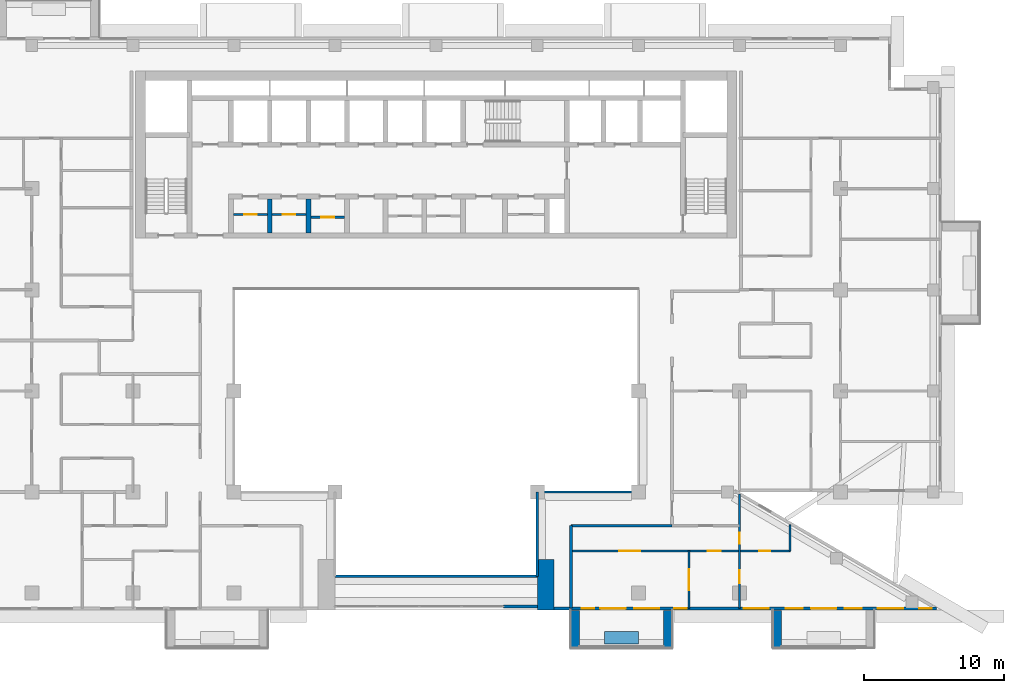
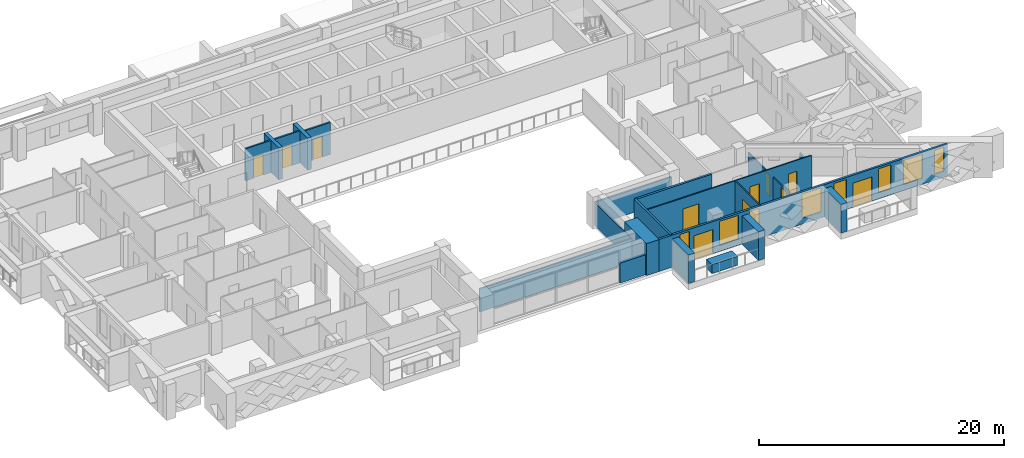
# One storey, part 8 of 20: 21 walls, 11 doors, 8 windows, 19 openings.
"""IFC4 building model written with IfcOpenShell, lengths in metres."""

from ifc_helpers import new_model, si_unit, direction, frame, frame_2d, origin, place, context, subcontext, project, spatial, rectangle, extrude, material, layer, layer_set, type_object, element, fill, save


model = new_model("IFC4")

# Units and contexts
model_context = context("Model", 3, precision=1e-05, world=origin(), true_north=direction((0.0, 1.0)))
body_context = subcontext(model_context, "Body", "Model", "MODEL_VIEW")
ifc_project = project(units=[si_unit("LENGTHUNIT", "METRE"), si_unit("AREAUNIT", "SQUARE_METRE"), si_unit("VOLUMEUNIT", "CUBIC_METRE"), si_unit("PLANEANGLEUNIT", "RADIAN"), si_unit("MASSUNIT", "GRAM", prefix="KILO")], contexts=[model_context])

# Site, building, storey
site_placement = place(None, origin())
site = spatial("IfcSite", under=ifc_project, at=site_placement, CompositionType="ELEMENT")
building_placement = place(site_placement, origin())
building = spatial("IfcBuilding", under=site, at=building_placement, Name="Saffron Iwan Residences", CompositionType="ELEMENT")
storey_placement = place(building_placement, frame((0.0, 0.0, 153.5)))
storey = spatial("IfcBuildingStorey", under=building, at=storey_placement, Name="L40", CompositionType="ELEMENT", Elevation=153.5)

# Walls
ifc_material_1 = material(Name="Fire-rated glazing", Category="glass")
ifc_layer_1 = layer(ifc_material_1, 0.14990234375)
ifc_layer_set_1 = layer_set([ifc_layer_1], Name="Fire-rated glazing")
wall_type_1 = type_object("IfcWallType", Name="Atrium glazed screen 150", PredefinedType="SOLIDWALL", material=ifc_layer_set_1)
wall_1_placement = place(storey_placement, frame((43.199951171875, 42.0, 0.0), z_axis=(0.0, 0.0, 1.0), x_axis=(1.0, 0.0, 0.0)))
element("IfcWall", 1, at=wall_1_placement, inside=storey, type_object=wall_type_1, Name="W-L40-SCREEN-h42-43.2", PredefinedType="SOLIDWALL", context=body_context, shape_type="SweptSolid", body=[
    extrude(rectangle(XDim=14.400146484375, YDim=0.14990234375, at=frame_2d((7.2001953125, 0.0))), origin(), (0.0, 0.0, 1.0), 2.300048828125),
])
wall_2_placement = place(storey_placement, frame((57.60009765625, 48.0, 0.0), z_axis=(0.0, 0.0, 1.0), x_axis=(1.0, 0.0, 0.0)))
element("IfcWall", 2, at=wall_2_placement, inside=storey, type_object=wall_type_1, Name="W-L40-SCREEN-h48-57.6", PredefinedType="SOLIDWALL", context=body_context, shape_type="SweptSolid", body=[
    extrude(rectangle(XDim=7.199951171875, YDim=0.14990234375, at=frame_2d((3.60009765625, 0.0))), origin(), (0.0, 0.0, 1.0), 2.300048828125),
])
wall_3_placement = place(storey_placement, frame((57.60009765625, 42.0, 0.0), z_axis=(0.0, 0.0, 1.0), x_axis=(0.0, 1.0, 0.0)))
element("IfcWall", 3, at=wall_3_placement, inside=storey, type_object=wall_type_1, Name="W-L40-SCREEN-v57.6-42", PredefinedType="SOLIDWALL", context=body_context, shape_type="SweptSolid", body=[
    extrude(rectangle(XDim=6.0, YDim=0.14990234375, at=frame_2d((3.0, 0.0))), origin(), (0.0, 0.0, 1.0), 2.300048828125),
])
ifc_material_2 = material(Name="Concrete C50/60 white painted", Category="concrete")
ifc_layer_2 = layer(ifc_material_2, 0.60009765625)
ifc_layer_set_2 = layer_set([ifc_layer_2], Name="Concrete C50/60 white painted")
wall_type_2 = type_object("IfcWallType", Name="BALCONY FIN 600", PredefinedType="SOLIDWALL", material=ifc_layer_set_2)
for number, where, z_axis, x_axis, name in (
    (4, (60.300048828125, 39.550048828125, 0.0), (0.0, 0.0, 1.0), (0.0, -1.0, 0.0), "Balcony fin L40 11-1a"),
    (5, (66.89990234375, 39.550048828125, 0.0), (0.0, 0.0, 1.0), (0.0, -1.0, 0.0), "Balcony fin L40 11-1b"),
    (6, (74.699951171875, 39.550048828125, 0.0), (0.0, 0.0, 1.0), (0.0, -1.0, 0.0), "Balcony fin L40 11-2a"),
):
    element("IfcWall", number, at=place(storey_placement, frame(where, z_axis=z_axis, x_axis=x_axis)), inside=storey, type_object=wall_type_2, Name=name, PredefinedType="SOLIDWALL", context=body_context, shape_type="SweptSolid", body=[
        extrude(rectangle(XDim=2.650146484375, YDim=0.60009765625, at=frame_2d((1.3251953125, 0.0))), origin(), (0.0, 0.0, 1.0), 2.85009765625),
    ])
ifc_material_3 = material(Name="Concrete C35/45 white painted", Category="concrete")
ifc_layer_3 = layer(ifc_material_3, 0.14990234375)
ifc_layer_set_3 = layer_set([ifc_layer_3], Name="Concrete C35/45 white painted")
wall_type_3 = type_object("IfcWallType", Name="BALCONY PLANTER", PredefinedType="SOLIDWALL", material=ifc_layer_set_3)
wall_4_placement = place(storey_placement, frame((62.39990234375, 37.625, 0.0), z_axis=(0.0, 0.0, 1.0), x_axis=(1.0, 0.0, 0.0)))
element("IfcWall", 7, at=wall_4_placement, inside=storey, type_object=wall_type_3, Name="PLANTER L40 11-1", PredefinedType="SOLIDWALL", context=body_context, shape_type="SweptSolid", body=[
    extrude(rectangle(XDim=2.400146484375, YDim=0.89990234375, at=frame_2d((1.2001953125, 0.0))), origin(), (0.0, 0.0, 1.0), 0.89990234375),
])

# Wall, opening, door
ifc_material_4 = material(Name="Fire-rated plasterboard partition")
ifc_layer_4 = layer(ifc_material_4, 0.14990234375)
ifc_layer_set_4 = layer_set([ifc_layer_4], Name="Fire-rated plasterboard partition")
wall_type_4 = type_object("IfcWallType", Name="Core partition 150", PredefinedType="PARTITIONING", material=ifc_layer_set_4)
wall_5_placement = place(storey_placement, frame((35.97509765625, 67.759521484375, 0.0), z_axis=(0.0, 0.0, 1.0), x_axis=(1.0, 0.0, 0.0)))
wall_5 = element("IfcWall", 8, at=wall_5_placement, inside=storey, type_object=wall_type_4, Name="Core partition P01", PredefinedType="PARTITIONING", context=body_context, shape_type="SweptSolid", body=[
    extrude(rectangle(XDim=2.39990234375, YDim=0.14990234375, at=frame_2d((1.199951171875, 0.0))), origin(), (0.0, 0.0, 1.0), 3.199951171875),
])
opening_1_placement = place(wall_5_placement, frame((0.75, 0.0, 0.0)))
opening_1 = element("IfcOpeningElement", 9, at=opening_1_placement, cuts=wall_5, Name="Opening SB", PredefinedType="OPENING", context=body_context, shape_type="SweptSolid", body=[
    extrude(rectangle(XDim=0.89990234375, YDim=2.10009765625, at=frame_2d((0.449951171875, 1.050048828125))), frame((0.0, 0.0849609375, 0.0), z_axis=(0.0, -1.0, 0.0), x_axis=(1.0, 0.0, 0.0)), (0.0, 0.0, 1.0), 0.169921875),
])
ifc_material_5 = material(Name="Steel fire door", Category="steel")
door_type_1 = type_object("IfcDoorType", Name="Store door 900", OperationType="NOTDEFINED", PredefinedType="DOOR", material=ifc_material_5)
door_1_placement = place(opening_1_placement, origin())
door_1 = element("IfcDoor", 10, at=door_1_placement, inside=storey, type_object=door_type_1, Name="Door Tool store", OperationType="SINGLE_SWING_LEFT", OverallHeight=2.10009765625, OverallWidth=0.89990234375, PredefinedType="DOOR", context=body_context, shape_type="SweptSolid", body=[
    extrude(rectangle(XDim=0.89990234375, YDim=2.10009765625, at=frame_2d((0.449951171875, 1.050048828125))), frame((0.0, 0.02490234375, 0.0), z_axis=(0.0, -1.0, 0.0), x_axis=(1.0, 0.0, 0.0)), (0.0, 0.0, 1.0), 0.050048828125),
])
fill(opening_1, door_1)

wall_6_placement = place(storey_placement, frame((38.72509765625, 67.759521484375, 0.0), z_axis=(0.0, 0.0, 1.0), x_axis=(1.0, 0.0, 0.0)))
wall_6 = element("IfcWall", 11, at=wall_6_placement, inside=storey, type_object=wall_type_4, Name="Core partition P02", PredefinedType="PARTITIONING", context=body_context, shape_type="SweptSolid", body=[
    extrude(rectangle(XDim=2.39990234375, YDim=0.14990234375, at=frame_2d((1.199951171875, 0.0))), origin(), (0.0, 0.0, 1.0), 3.199951171875),
])
opening_2_placement = place(wall_6_placement, frame((0.75, 0.0, 0.0)))
opening_2 = element("IfcOpeningElement", 12, at=opening_2_placement, cuts=wall_6, Name="Opening SB", PredefinedType="OPENING", context=body_context, shape_type="SweptSolid", body=[
    extrude(rectangle(XDim=0.89990234375, YDim=2.10009765625, at=frame_2d((0.449951171875, 1.050048828125))), frame((0.0, 0.0849609375, 0.0), z_axis=(0.0, -1.0, 0.0), x_axis=(1.0, 0.0, 0.0)), (0.0, 0.0, 1.0), 0.169921875),
])
door_2_placement = place(opening_2_placement, origin())
door_2 = element("IfcDoor", 13, at=door_2_placement, inside=storey, type_object=door_type_1, Name="Door Cabling room", OperationType="SINGLE_SWING_RIGHT", OverallHeight=2.10009765625, OverallWidth=0.89990234375, PredefinedType="DOOR", context=body_context, shape_type="SweptSolid", body=[
    extrude(rectangle(XDim=0.89990234375, YDim=2.10009765625, at=frame_2d((0.449951171875, 1.050048828125))), frame((0.0, 0.02490234375, 0.0), z_axis=(0.0, -1.0, 0.0), x_axis=(1.0, 0.0, 0.0)), (0.0, 0.0, 1.0), 0.050048828125),
])
fill(opening_2, door_2)

wall_7_placement = place(storey_placement, frame((41.47509765625, 67.5654296875, 0.0), z_axis=(0.0, 0.0, 1.0), x_axis=(1.0, 0.0, 0.0)))
wall_7 = element("IfcWall", 14, at=wall_7_placement, inside=storey, type_object=wall_type_4, Name="Core partition P03", PredefinedType="PARTITIONING", context=body_context, shape_type="SweptSolid", body=[
    extrude(rectangle(XDim=2.39990234375, YDim=0.14990234375, at=frame_2d((1.199951171875, 0.0))), origin(), (0.0, 0.0, 1.0), 3.199951171875),
])
opening_3_placement = place(wall_7_placement, frame((0.75, 0.0, 0.0)))
opening_3 = element("IfcOpeningElement", 15, at=opening_3_placement, cuts=wall_7, Name="Opening SB", PredefinedType="OPENING", context=body_context, shape_type="SweptSolid", body=[
    extrude(rectangle(XDim=0.89990234375, YDim=2.10009765625, at=frame_2d((0.449951171875, 1.050048828125))), frame((0.0, 0.0849609375, 0.0), z_axis=(0.0, -1.0, 0.0), x_axis=(1.0, 0.0, 0.0)), (0.0, 0.0, 1.0), 0.169921875),
])
door_3_placement = place(opening_3_placement, origin())
door_3 = element("IfcDoor", 16, at=door_3_placement, inside=storey, type_object=door_type_1, Name="Door Equipment store", OperationType="SINGLE_SWING_RIGHT", OverallHeight=2.10009765625, OverallWidth=0.89990234375, PredefinedType="DOOR", context=body_context, shape_type="SweptSolid", body=[
    extrude(rectangle(XDim=0.89990234375, YDim=2.10009765625, at=frame_2d((0.449951171875, 1.050048828125))), frame((0.0, 0.02490234375, 0.0), z_axis=(0.0, -1.0, 0.0), x_axis=(1.0, 0.0, 0.0)), (0.0, 0.0, 1.0), 0.050048828125),
])
fill(opening_3, door_3)

# Wall, openings, doors, windows
ifc_material_6 = material(Name="Concrete C40/50", Category="concrete")
ifc_layer_5 = layer(ifc_material_6, 0.199951171875)
ifc_layer_set_5 = layer_set([ifc_layer_5], Name="Concrete C40/50")
wall_type_5 = type_object("IfcWallType", Name="EXTERNAL WALL 200", PredefinedType="SOLIDWALL", material=ifc_layer_set_5)
wall_8_placement = place(storey_placement, frame((58.800048828125, 39.699951171875, 0.0), z_axis=(0.0, 0.0, 1.0), x_axis=(1.0, 0.0, 0.0)))
wall_8 = element("IfcWall", 17, at=wall_8_placement, inside=storey, type_object=wall_type_5, Name="External wall L40 F11.1", PredefinedType="SOLIDWALL", context=body_context, shape_type="SweptSolid", body=[
    extrude(rectangle(XDim=27.22998046875, YDim=0.199951171875, at=frame_2d((13.614990234375, 0.0))), origin(), (0.0, 0.0, 1.0), 3.199951171875),
])
opening_4_placement = place(wall_8_placement, frame((3.300048828125, 0.0, 0.0)))
opening_4 = element("IfcOpeningElement", 18, at=opening_4_placement, cuts=wall_8, Name="Opening BD1", PredefinedType="OPENING", context=body_context, shape_type="SweptSolid", body=[
    extrude(rectangle(XDim=1.800048828125, YDim=2.39990234375, at=frame_2d((0.89990234375, 1.199951171875))), frame((0.0, 0.10986328125, 0.0), z_axis=(0.0, -1.0, 0.0), x_axis=(1.0, 0.0, 0.0)), (0.0, 0.0, 1.0), 0.219970703125),
])
opening_5_placement = place(wall_8_placement, frame((18.300048828125, 0.0, 0.0)))
opening_5 = element("IfcOpeningElement", 19, at=opening_5_placement, cuts=wall_8, Name="Opening BD1", PredefinedType="OPENING", context=body_context, shape_type="SweptSolid", body=[
    extrude(rectangle(XDim=1.800048828125, YDim=2.39990234375, at=frame_2d((0.89990234375, 1.199951171875))), frame((0.0, 0.10986328125, 0.0), z_axis=(0.0, -1.0, 0.0), x_axis=(1.0, 0.0, 0.0)), (0.0, 0.0, 1.0), 0.219970703125),
])
opening_6_placement = place(wall_8_placement, frame((1.949951171875, 0.0, 0.60009765625)))
opening_6 = element("IfcOpeningElement", 20, at=opening_6_placement, cuts=wall_8, Name="Opening W10", PredefinedType="OPENING", context=body_context, shape_type="SweptSolid", body=[
    extrude(rectangle(XDim=0.89990234375, YDim=2.39990234375, at=frame_2d((0.449951171875, 1.199951171875))), frame((0.0, 0.10986328125, 0.0), z_axis=(0.0, -1.0, 0.0), x_axis=(1.0, 0.0, 0.0)), (0.0, 0.0, 1.0), 0.219970703125),
])
opening_7_placement = place(wall_8_placement, frame((5.699951171875, 0.0, 0.60009765625)))
opening_7 = element("IfcOpeningElement", 21, at=opening_7_placement, cuts=wall_8, Name="Opening W8", PredefinedType="OPENING", context=body_context, shape_type="SweptSolid", body=[
    extrude(rectangle(XDim=1.800048828125, YDim=2.39990234375, at=frame_2d((0.89990234375, 1.199951171875))), frame((0.0, 0.10986328125, 0.0), z_axis=(0.0, -1.0, 0.0), x_axis=(1.0, 0.0, 0.0)), (0.0, 0.0, 1.0), 0.219970703125),
])
opening_8_placement = place(wall_8_placement, frame((8.550048828125, 0.0, 0.60009765625)))
opening_8 = element("IfcOpeningElement", 22, at=opening_8_placement, cuts=wall_8, Name="Opening W10", PredefinedType="OPENING", context=body_context, shape_type="SweptSolid", body=[
    extrude(rectangle(XDim=0.89990234375, YDim=2.39990234375, at=frame_2d((0.449951171875, 1.199951171875))), frame((0.0, 0.10986328125, 0.0), z_axis=(0.0, -1.0, 0.0), x_axis=(1.0, 0.0, 0.0)), (0.0, 0.0, 1.0), 0.219970703125),
])
opening_9_placement = place(wall_8_placement, frame((13.5, 0.0, 0.60009765625)))
opening_9 = element("IfcOpeningElement", 23, at=opening_9_placement, cuts=wall_8, Name="Opening W8", PredefinedType="OPENING", context=body_context, shape_type="SweptSolid", body=[
    extrude(rectangle(XDim=1.800048828125, YDim=2.39990234375, at=frame_2d((0.89990234375, 1.199951171875))), frame((0.0, 0.10986328125, 0.0), z_axis=(0.0, -1.0, 0.0), x_axis=(1.0, 0.0, 0.0)), (0.0, 0.0, 1.0), 0.219970703125),
])
opening_10_placement = place(wall_8_placement, frame((16.5, 0.0, 0.60009765625)))
opening_10 = element("IfcOpeningElement", 24, at=opening_10_placement, cuts=wall_8, Name="Opening W3", PredefinedType="OPENING", context=body_context, shape_type="SweptSolid", body=[
    extrude(rectangle(XDim=1.199951171875, YDim=2.39990234375, at=frame_2d((0.60009765625, 1.199951171875))), frame((0.0, 0.10986328125, 0.0), z_axis=(0.0, -1.0, 0.0), x_axis=(1.0, 0.0, 0.0)), (0.0, 0.0, 1.0), 0.219970703125),
])
opening_11_placement = place(wall_8_placement, frame((20.699951171875, 0.0, 0.60009765625)))
opening_11 = element("IfcOpeningElement", 25, at=opening_11_placement, cuts=wall_8, Name="Opening W3", PredefinedType="OPENING", context=body_context, shape_type="SweptSolid", body=[
    extrude(rectangle(XDim=1.199951171875, YDim=2.39990234375, at=frame_2d((0.60009765625, 1.199951171875))), frame((0.0, 0.10986328125, 0.0), z_axis=(0.0, -1.0, 0.0), x_axis=(1.0, 0.0, 0.0)), (0.0, 0.0, 1.0), 0.219970703125),
])
opening_12_placement = place(wall_8_placement, frame((23.050537109375, 0.0, 0.60009765625)))
opening_12 = element("IfcOpeningElement", 26, at=opening_12_placement, cuts=wall_8, Name="Opening W8", PredefinedType="OPENING", context=body_context, shape_type="SweptSolid", body=[
    extrude(rectangle(XDim=1.800048828125, YDim=2.39990234375, at=frame_2d((0.89990234375, 1.199951171875))), frame((0.0, 0.10986328125, 0.0), z_axis=(0.0, -1.0, 0.0), x_axis=(1.0, 0.0, 0.0)), (0.0, 0.0, 1.0), 0.219970703125),
])
opening_13_placement = place(wall_8_placement, frame((25.990478515625, 0.0, 0.60009765625)))
opening_13 = element("IfcOpeningElement", 27, at=opening_13_placement, cuts=wall_8, Name="Opening W10", PredefinedType="OPENING", context=body_context, shape_type="SweptSolid", body=[
    extrude(rectangle(XDim=0.89990234375, YDim=2.39990234375, at=frame_2d((0.449951171875, 1.199951171875))), frame((0.0, 0.10986328125, 0.0), z_axis=(0.0, -1.0, 0.0), x_axis=(1.0, 0.0, 0.0)), (0.0, 0.0, 1.0), 0.219970703125),
])
ifc_material_7 = material(Name="Clear glass, laminated double glazed", Category="glass")
door_type_2 = type_object("IfcDoorType", Name="BALCONY DOOR 1800 x 2400", OperationType="DOUBLE_DOOR_SLIDING", PredefinedType="DOOR", material=ifc_material_7)
door_4_placement = place(opening_4_placement, origin())
door_4 = element("IfcDoor", 28, at=door_4_placement, inside=storey, type_object=door_type_2, Name="Balcony door L40 F11.0", OperationType="DOUBLE_DOOR_SLIDING", OverallHeight=2.39990234375, OverallWidth=1.800048828125, PredefinedType="DOOR", context=body_context, shape_type="SweptSolid", body=[
    extrude(rectangle(XDim=1.800048828125, YDim=2.39990234375, at=frame_2d((0.89990234375, 1.199951171875))), frame((0.0, 0.02490234375, 0.0), z_axis=(0.0, -1.0, 0.0), x_axis=(1.0, 0.0, 0.0)), (0.0, 0.0, 1.0), 0.050048828125),
])
fill(opening_4, door_4)
door_5_placement = place(opening_5_placement, origin())
door_5 = element("IfcDoor", 29, at=door_5_placement, inside=storey, type_object=door_type_2, Name="Balcony door L40 F11.1", OperationType="DOUBLE_DOOR_SLIDING", OverallHeight=2.39990234375, OverallWidth=1.800048828125, PredefinedType="DOOR", context=body_context, shape_type="SweptSolid", body=[
    extrude(rectangle(XDim=1.800048828125, YDim=2.39990234375, at=frame_2d((0.89990234375, 1.199951171875))), frame((0.0, 0.02490234375, 0.0), z_axis=(0.0, -1.0, 0.0), x_axis=(1.0, 0.0, 0.0)), (0.0, 0.0, 1.0), 0.050048828125),
])
fill(opening_5, door_5)
window_type_1 = type_object("IfcWindowType", Name="WINDOW 1200 x 2400", PartitioningType="SINGLE_PANEL", PredefinedType="WINDOW", material=ifc_material_7)
window_1_placement = place(opening_10_placement, origin())
window_1 = element("IfcWindow", 30, at=window_1_placement, inside=storey, type_object=window_type_1, Name="Window L40 F11.6", OverallHeight=2.39990234375, OverallWidth=1.199951171875, PartitioningType="SINGLE_PANEL", PredefinedType="WINDOW", context=body_context, shape_type="SweptSolid", body=[
    extrude(rectangle(XDim=1.199951171875, YDim=2.39990234375, at=frame_2d((0.60009765625, 1.199951171875))), frame((0.0, 0.030029296875, 0.0), z_axis=(0.0, -1.0, 0.0), x_axis=(1.0, 0.0, 0.0)), (0.0, 0.0, 1.0), 0.06005859375),
])
fill(opening_10, window_1)
window_2_placement = place(opening_11_placement, origin())
window_2 = element("IfcWindow", 31, at=window_2_placement, inside=storey, type_object=window_type_1, Name="Window L40 F11.7", OverallHeight=2.39990234375, OverallWidth=1.199951171875, PartitioningType="SINGLE_PANEL", PredefinedType="WINDOW", context=body_context, shape_type="SweptSolid", body=[
    extrude(rectangle(XDim=1.199951171875, YDim=2.39990234375, at=frame_2d((0.60009765625, 1.199951171875))), frame((0.0, 0.030029296875, 0.0), z_axis=(0.0, -1.0, 0.0), x_axis=(1.0, 0.0, 0.0)), (0.0, 0.0, 1.0), 0.06005859375),
])
fill(opening_11, window_2)
window_type_2 = type_object("IfcWindowType", Name="WINDOW 1800 x 2400", PartitioningType="DOUBLE_PANEL_VERTICAL", PredefinedType="WINDOW", material=ifc_material_7)
window_3_placement = place(opening_7_placement, origin())
window_3 = element("IfcWindow", 32, at=window_3_placement, inside=storey, type_object=window_type_2, Name="Window L40 F11.3", OverallHeight=2.39990234375, OverallWidth=1.800048828125, PartitioningType="DOUBLE_PANEL_VERTICAL", PredefinedType="WINDOW", context=body_context, shape_type="SweptSolid", body=[
    extrude(rectangle(XDim=1.800048828125, YDim=2.39990234375, at=frame_2d((0.89990234375, 1.199951171875))), frame((0.0, 0.030029296875, 0.0), z_axis=(0.0, -1.0, 0.0), x_axis=(1.0, 0.0, 0.0)), (0.0, 0.0, 1.0), 0.06005859375),
])
fill(opening_7, window_3)
window_4_placement = place(opening_9_placement, origin())
window_4 = element("IfcWindow", 33, at=window_4_placement, inside=storey, type_object=window_type_2, Name="Window L40 F11.5", OverallHeight=2.39990234375, OverallWidth=1.800048828125, PartitioningType="DOUBLE_PANEL_VERTICAL", PredefinedType="WINDOW", context=body_context, shape_type="SweptSolid", body=[
    extrude(rectangle(XDim=1.800048828125, YDim=2.39990234375, at=frame_2d((0.89990234375, 1.199951171875))), frame((0.0, 0.030029296875, 0.0), z_axis=(0.0, -1.0, 0.0), x_axis=(1.0, 0.0, 0.0)), (0.0, 0.0, 1.0), 0.06005859375),
])
fill(opening_9, window_4)
window_5_placement = place(opening_12_placement, origin())
window_5 = element("IfcWindow", 34, at=window_5_placement, inside=storey, type_object=window_type_2, Name="Window L40 F11.8", OverallHeight=2.39990234375, OverallWidth=1.800048828125, PartitioningType="DOUBLE_PANEL_VERTICAL", PredefinedType="WINDOW", context=body_context, shape_type="SweptSolid", body=[
    extrude(rectangle(XDim=1.800048828125, YDim=2.39990234375, at=frame_2d((0.89990234375, 1.199951171875))), frame((0.0, 0.030029296875, 0.0), z_axis=(0.0, -1.0, 0.0), x_axis=(1.0, 0.0, 0.0)), (0.0, 0.0, 1.0), 0.06005859375),
])
fill(opening_12, window_5)
window_type_3 = type_object("IfcWindowType", Name="WINDOW 900 x 2400", PartitioningType="SINGLE_PANEL", PredefinedType="WINDOW", material=ifc_material_7)
window_6_placement = place(opening_6_placement, origin())
window_6 = element("IfcWindow", 35, at=window_6_placement, inside=storey, type_object=window_type_3, Name="Window L40 F11.2", OverallHeight=2.39990234375, OverallWidth=0.89990234375, PartitioningType="SINGLE_PANEL", PredefinedType="WINDOW", context=body_context, shape_type="SweptSolid", body=[
    extrude(rectangle(XDim=0.89990234375, YDim=2.39990234375, at=frame_2d((0.449951171875, 1.199951171875))), frame((0.0, 0.030029296875, 0.0), z_axis=(0.0, -1.0, 0.0), x_axis=(1.0, 0.0, 0.0)), (0.0, 0.0, 1.0), 0.06005859375),
])
fill(opening_6, window_6)
window_7_placement = place(opening_8_placement, origin())
window_7 = element("IfcWindow", 36, at=window_7_placement, inside=storey, type_object=window_type_3, Name="Window L40 F11.4", OverallHeight=2.39990234375, OverallWidth=0.89990234375, PartitioningType="SINGLE_PANEL", PredefinedType="WINDOW", context=body_context, shape_type="SweptSolid", body=[
    extrude(rectangle(XDim=0.89990234375, YDim=2.39990234375, at=frame_2d((0.449951171875, 1.199951171875))), frame((0.0, 0.030029296875, 0.0), z_axis=(0.0, -1.0, 0.0), x_axis=(1.0, 0.0, 0.0)), (0.0, 0.0, 1.0), 0.06005859375),
])
fill(opening_8, window_7)
window_8_placement = place(opening_13_placement, origin())
window_8 = element("IfcWindow", 37, at=window_8_placement, inside=storey, type_object=window_type_3, Name="Window L40 F11.9", OverallHeight=2.39990234375, OverallWidth=0.89990234375, PartitioningType="SINGLE_PANEL", PredefinedType="WINDOW", context=body_context, shape_type="SweptSolid", body=[
    extrude(rectangle(XDim=0.89990234375, YDim=2.39990234375, at=frame_2d((0.449951171875, 1.199951171875))), frame((0.0, 0.030029296875, 0.0), z_axis=(0.0, -1.0, 0.0), x_axis=(1.0, 0.0, 0.0)), (0.0, 0.0, 1.0), 0.06005859375),
])
fill(opening_13, window_8)

# Wall
wall_9_placement = place(storey_placement, frame((55.199951171875, 39.85009765625, 0.0), z_axis=(0.0, 0.0, 1.0), x_axis=(1.0, 0.0, 0.0)))
element("IfcWall", 38, at=wall_9_placement, inside=storey, type_object=wall_type_5, Name="External wall infill CWB-L40-0", PredefinedType="SOLIDWALL", context=body_context, shape_type="SweptSolid", body=[
    extrude(rectangle(XDim=2.400146484375, YDim=0.199951171875, at=frame_2d((1.2001953125, 0.0))), origin(), (0.0, 0.0, 1.0), 2.0),
])

# Wall, openings, doors
ifc_material_8 = material(Name="Gypsum board partition")
ifc_layer_6 = layer(ifc_material_8, 0.1201171875)
ifc_layer_set_6 = layer_set([ifc_layer_6], Name="Gypsum board partition")
wall_type_6 = type_object("IfcWallType", Name="Flat partition 120", PredefinedType="PARTITIONING", material=ifc_layer_set_6)
wall_10_placement = place(storey_placement, frame((60.0, 43.800048828125, 0.0), z_axis=(0.0, 0.0, 1.0), x_axis=(1.0, 0.0, 0.0)))
wall_10 = element("IfcWall", 39, at=wall_10_placement, inside=storey, type_object=wall_type_6, Name="W-L40-PART-h43.8-60", PredefinedType="PARTITIONING", context=body_context, shape_type="SweptSolid", body=[
    extrude(rectangle(XDim=15.60009765625, YDim=0.1201171875, at=frame_2d((7.800048828125, 0.0))), origin(), (0.0, 0.0, 1.0), 3.199951171875),
])
opening_14_placement = place(wall_10_placement, frame((9.75, 0.0, 0.0)))
opening_14 = element("IfcOpeningElement", 40, at=opening_14_placement, cuts=wall_10, Name="Opening FD2", PredefinedType="OPENING", context=body_context, shape_type="SweptSolid", body=[
    extrude(rectangle(XDim=0.89990234375, YDim=2.10009765625, at=frame_2d((0.449951171875, 1.050048828125))), frame((0.0, 0.070068359375, 0.0), z_axis=(0.0, -1.0, 0.0), x_axis=(1.0, 0.0, 0.0)), (0.0, 0.0, 1.0), 0.14013671875),
])
opening_15_placement = place(wall_10_placement, frame((3.449951171875, 0.0, 0.0)))
opening_15 = element("IfcOpeningElement", 41, at=opening_15_placement, cuts=wall_10, Name="Opening FD4", PredefinedType="OPENING", context=body_context, shape_type="SweptSolid", body=[
    extrude(rectangle(XDim=1.5, YDim=2.10009765625, at=frame_2d((0.75, 1.050048828125))), frame((0.0, 0.070068359375, 0.0), z_axis=(0.0, -1.0, 0.0), x_axis=(1.0, 0.0, 0.0)), (0.0, 0.0, 1.0), 0.14013671875),
])
opening_16_placement = place(wall_10_placement, frame((13.39990234375, 0.0, 0.0)))
opening_16 = element("IfcOpeningElement", 42, at=opening_16_placement, cuts=wall_10, Name="Opening FD3", PredefinedType="OPENING", context=body_context, shape_type="SweptSolid", body=[
    extrude(rectangle(XDim=0.800048828125, YDim=2.10009765625, at=frame_2d((0.39990234375, 1.050048828125))), frame((0.0, 0.070068359375, 0.0), z_axis=(0.0, -1.0, 0.0), x_axis=(1.0, 0.0, 0.0)), (0.0, 0.0, 1.0), 0.14013671875),
])
ifc_material_9 = material(Name="Timber door", Category="wood")
door_type_3 = type_object("IfcDoorType", Name="Bathroom door 800", OperationType="NOTDEFINED", PredefinedType="DOOR", material=ifc_material_9)
door_6_placement = place(opening_16_placement, origin())
door_6 = element("IfcDoor", 43, at=door_6_placement, inside=storey, type_object=door_type_3, Name="Door L40-046", OperationType="SINGLE_SWING_LEFT", OverallHeight=2.10009765625, OverallWidth=0.800048828125, PredefinedType="DOOR", context=body_context, shape_type="SweptSolid", body=[
    extrude(rectangle(XDim=0.800048828125, YDim=2.10009765625, at=frame_2d((0.39990234375, 1.050048828125))), frame((0.0, 0.02490234375, 0.0), z_axis=(0.0, -1.0, 0.0), x_axis=(1.0, 0.0, 0.0)), (0.0, 0.0, 1.0), 0.050048828125),
])
fill(opening_16, door_6)
door_type_4 = type_object("IfcDoorType", Name="Double door 1500", OperationType="NOTDEFINED", PredefinedType="DOOR", material=ifc_material_9)
door_7_placement = place(opening_15_placement, origin())
door_7 = element("IfcDoor", 44, at=door_7_placement, inside=storey, type_object=door_type_4, Name="Door L40-043", OperationType="SINGLE_SWING_LEFT", OverallHeight=2.10009765625, OverallWidth=1.5, PredefinedType="DOOR", context=body_context, shape_type="SweptSolid", body=[
    extrude(rectangle(XDim=1.5, YDim=2.10009765625, at=frame_2d((0.75, 1.050048828125))), frame((0.0, 0.02490234375, 0.0), z_axis=(0.0, -1.0, 0.0), x_axis=(1.0, 0.0, 0.0)), (0.0, 0.0, 1.0), 0.050048828125),
])
fill(opening_15, door_7)
door_type_5 = type_object("IfcDoorType", Name="Flat door 900", OperationType="NOTDEFINED", PredefinedType="DOOR", material=ifc_material_9)
door_8_placement = place(opening_14_placement, origin())
door_8 = element("IfcDoor", 45, at=door_8_placement, inside=storey, type_object=door_type_5, Name="Door L40-042", OperationType="SINGLE_SWING_RIGHT", OverallHeight=2.10009765625, OverallWidth=0.89990234375, PredefinedType="DOOR", context=body_context, shape_type="SweptSolid", body=[
    extrude(rectangle(XDim=0.89990234375, YDim=2.10009765625, at=frame_2d((0.449951171875, 1.050048828125))), frame((0.0, 0.02490234375, 0.0), z_axis=(0.0, -1.0, 0.0), x_axis=(1.0, 0.0, 0.0)), (0.0, 0.0, 1.0), 0.050048828125),
])
fill(opening_14, door_8)

# Wall, opening, door
wall_11_placement = place(storey_placement, frame((68.39990234375, 39.72509765625, 0.0), z_axis=(0.0, 0.0, 1.0), x_axis=(0.0, 1.0, 0.0)))
wall_11 = element("IfcWall", 46, at=wall_11_placement, inside=storey, type_object=wall_type_6, Name="W-L40-PART-v68.4-39.725", PredefinedType="PARTITIONING", context=body_context, shape_type="SweptSolid", body=[
    extrude(rectangle(XDim=4.074951171875, YDim=0.1201171875, at=frame_2d((2.03759765625, 0.0))), origin(), (0.0, 0.0, 1.0), 3.199951171875),
])
opening_17_placement = place(wall_11_placement, frame((1.28759765625, 0.0, 0.0)))
opening_17 = element("IfcOpeningElement", 47, at=opening_17_placement, cuts=wall_11, Name="Opening FD4", PredefinedType="OPENING", context=body_context, shape_type="SweptSolid", body=[
    extrude(rectangle(XDim=1.5, YDim=2.10009765625, at=frame_2d((0.75, 1.050048828125))), frame((0.0, 0.070068359375, 0.0), z_axis=(0.0, -1.0, 0.0), x_axis=(1.0, 0.0, 0.0)), (0.0, 0.0, 1.0), 0.14013671875),
])
door_9_placement = place(opening_17_placement, origin())
door_9 = element("IfcDoor", 48, at=door_9_placement, inside=storey, type_object=door_type_4, Name="Door L40-039", OperationType="SINGLE_SWING_RIGHT", OverallHeight=2.10009765625, OverallWidth=1.5, PredefinedType="DOOR", context=body_context, shape_type="SweptSolid", body=[
    extrude(rectangle(XDim=1.5, YDim=2.10009765625, at=frame_2d((0.75, 1.050048828125))), frame((0.0, 0.02490234375, 0.0), z_axis=(0.0, -1.0, 0.0), x_axis=(1.0, 0.0, 0.0)), (0.0, 0.0, 1.0), 0.050048828125),
])
fill(opening_17, door_9)

# Wall, openings, doors
wall_12_placement = place(storey_placement, frame((72.0, 39.72509765625, 0.0), z_axis=(0.0, 0.0, 1.0), x_axis=(0.0, 1.0, 0.0)))
wall_12 = element("IfcWall", 49, at=wall_12_placement, inside=storey, type_object=wall_type_6, Name="W-L40-PART-v72-39.725", PredefinedType="PARTITIONING", context=body_context, shape_type="SweptSolid", body=[
    extrude(rectangle(XDim=8.1298828125, YDim=0.1201171875, at=frame_2d((4.06494140625, 0.0))), origin(), (0.0, 0.0, 1.0), 2.300048828125),
])
opening_18_placement = place(wall_12_placement, frame((1.78759765625, 0.0, 0.0)))
opening_18 = element("IfcOpeningElement", 50, at=opening_18_placement, cuts=wall_12, Name="Opening FD2", PredefinedType="OPENING", context=body_context, shape_type="SweptSolid", body=[
    extrude(rectangle(XDim=0.89990234375, YDim=2.10009765625, at=frame_2d((0.449951171875, 1.050048828125))), frame((0.0, 0.070068359375, 0.0), z_axis=(0.0, -1.0, 0.0), x_axis=(1.0, 0.0, 0.0)), (0.0, 0.0, 1.0), 0.14013671875),
])
opening_19_placement = place(wall_12_placement, frame((4.574951171875, 0.0, 0.0)))
opening_19 = element("IfcOpeningElement", 51, at=opening_19_placement, cuts=wall_12, Name="Opening FD3", PredefinedType="OPENING", context=body_context, shape_type="SweptSolid", body=[
    extrude(rectangle(XDim=0.800048828125, YDim=2.10009765625, at=frame_2d((0.39990234375, 1.050048828125))), frame((0.0, 0.070068359375, 0.0), z_axis=(0.0, -1.0, 0.0), x_axis=(1.0, 0.0, 0.0)), (0.0, 0.0, 1.0), 0.14013671875),
])
door_10_placement = place(opening_19_placement, origin())
door_10 = element("IfcDoor", 52, at=door_10_placement, inside=storey, type_object=door_type_3, Name="Door L40-045", OperationType="SINGLE_SWING_RIGHT", OverallHeight=2.10009765625, OverallWidth=0.800048828125, PredefinedType="DOOR", context=body_context, shape_type="SweptSolid", body=[
    extrude(rectangle(XDim=0.800048828125, YDim=2.10009765625, at=frame_2d((0.39990234375, 1.050048828125))), frame((0.0, 0.02490234375, 0.0), z_axis=(0.0, -1.0, 0.0), x_axis=(1.0, 0.0, 0.0)), (0.0, 0.0, 1.0), 0.050048828125),
])
fill(opening_19, door_10)
door_11_placement = place(opening_18_placement, origin())
door_11 = element("IfcDoor", 53, at=door_11_placement, inside=storey, type_object=door_type_5, Name="Door L40-044", OperationType="SINGLE_SWING_RIGHT", OverallHeight=2.10009765625, OverallWidth=0.89990234375, PredefinedType="DOOR", context=body_context, shape_type="SweptSolid", body=[
    extrude(rectangle(XDim=0.89990234375, YDim=2.10009765625, at=frame_2d((0.449951171875, 1.050048828125))), frame((0.0, 0.02490234375, 0.0), z_axis=(0.0, -1.0, 0.0), x_axis=(1.0, 0.0, 0.0)), (0.0, 0.0, 1.0), 0.050048828125),
])
fill(opening_18, door_11)

# Walls
wall_13_placement = place(storey_placement, frame((75.60009765625, 43.800048828125, 0.0), z_axis=(0.0, 0.0, 1.0), x_axis=(0.0, 1.0, 0.0)))
element("IfcWall", 54, at=wall_13_placement, inside=storey, type_object=wall_type_6, Name="W-L40-PART-v75.6-43.8", PredefinedType="PARTITIONING", context=body_context, shape_type="SweptSolid", body=[
    extrude(rectangle(XDim=1.868408203125, YDim=0.1201171875, at=frame_2d((0.93408203125, 0.0))), origin(), (0.0, 0.0, 1.0), 2.300048828125),
])
ifc_material_10 = material(Name="Fire-rated gypsum board wall")
ifc_layer_7 = layer(ifc_material_10, 0.199951171875)
ifc_layer_set_7 = layer_set([ifc_layer_7], Name="Fire-rated gypsum board wall")
wall_type_7 = type_object("IfcWallType", Name="Gallery wall 200", PredefinedType="SOLIDWALL", material=ifc_layer_set_7)
wall_14_placement = place(storey_placement, frame((60.0, 45.60009765625, 0.0), z_axis=(0.0, 0.0, 1.0), x_axis=(1.0, 0.0, 0.0)))
element("IfcWall", 55, at=wall_14_placement, inside=storey, type_object=wall_type_7, Name="W-L40-CORR-h45.6-60", PredefinedType="SOLIDWALL", context=body_context, shape_type="SweptSolid", body=[
    extrude(rectangle(XDim=7.199951171875, YDim=0.199951171875, at=frame_2d((3.60009765625, 0.0))), origin(), (0.0, 0.0, 1.0), 3.199951171875),
])
wall_15_placement = place(storey_placement, frame((60.0, 39.72509765625, 0.0), z_axis=(0.0, 0.0, 1.0), x_axis=(0.0, 1.0, 0.0)))
element("IfcWall", 56, at=wall_15_placement, inside=storey, type_object=wall_type_7, Name="W-L40-CORR-v60-39.725", PredefinedType="SOLIDWALL", context=body_context, shape_type="SweptSolid", body=[
    extrude(rectangle(XDim=5.875, YDim=0.199951171875, at=frame_2d((2.9375, 0.0))), origin(), (0.0, 0.0, 1.0), 3.199951171875),
])
ifc_material_11 = material(Name="Concrete C50/60", Category="concrete")
ifc_layer_8 = layer(ifc_material_11, 0.35009765625)
ifc_layer_set_8 = layer_set([ifc_layer_8], Name="Concrete C50/60")
wall_type_8 = type_object("IfcWallType", Name="WALL CORE 350 C50/60 3200 HIGH", PredefinedType="SHEAR", material=ifc_layer_set_8)
for number, where, z_axis, x_axis, name in (
    (57, (38.550048828125, 66.449951171875, 0.0), (0.0, 0.0, 1.0), (0.0, 1.0, 0.0), "Core wall"),
    (58, (41.300048828125, 66.449951171875, 0.0), (0.0, 0.0, 1.0), (0.0, 1.0, 0.0), "Core wall"),
):
    element("IfcWall", number, at=place(storey_placement, frame(where, z_axis=z_axis, x_axis=x_axis)), inside=storey, type_object=wall_type_8, Name=name, PredefinedType="SHEAR", context=body_context, shape_type="SweptSolid", body=[
        extrude(rectangle(XDim=2.425048828125, YDim=0.35009765625, at=frame_2d((1.21240234375, 0.0))), origin(), (0.0, 0.0, 1.0), 3.199951171875),
    ])
ifc_layer_9 = layer(ifc_material_11, 1.199951171875)
ifc_layer_set_9 = layer_set([ifc_layer_9], Name="Concrete C50/60")
wall_type_9 = type_object("IfcWallType", Name="WALL IWAN PIER 1200 C50/60 3200 HIGH", PredefinedType="SHEAR", material=ifc_layer_set_9)
wall_16_placement = place(storey_placement, frame((58.199951171875, 39.60009765625, 0.0), z_axis=(0.0, 0.0, 1.0), x_axis=(0.0, 1.0, 0.0)))
element("IfcWall", 59, at=wall_16_placement, inside=storey, type_object=wall_type_9, Name="IWAN PIER", PredefinedType="SHEAR", context=body_context, shape_type="SweptSolid", body=[
    extrude(rectangle(XDim=3.599853515625, YDim=1.199951171875, at=frame_2d((1.7998046875, 0.0))), origin(), (0.0, 0.0, 1.0), 3.199951171875),
])

save(model, "model.ifc")
